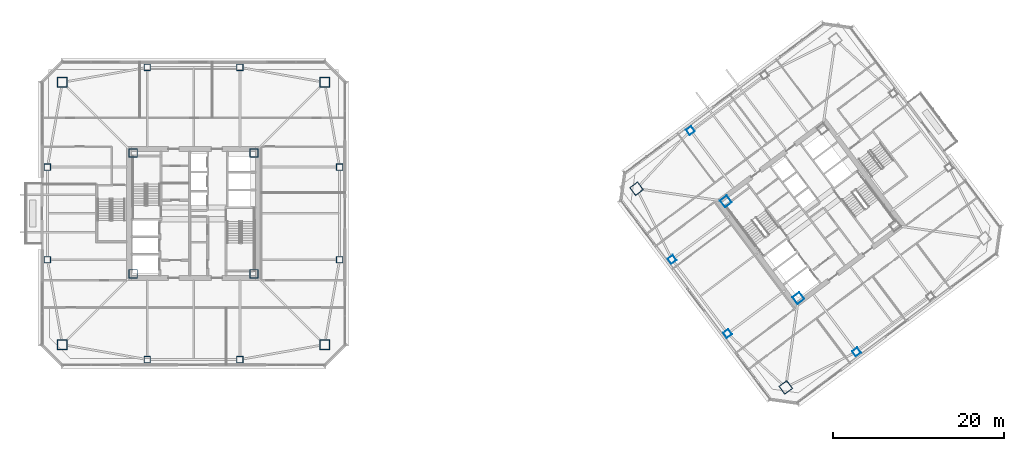
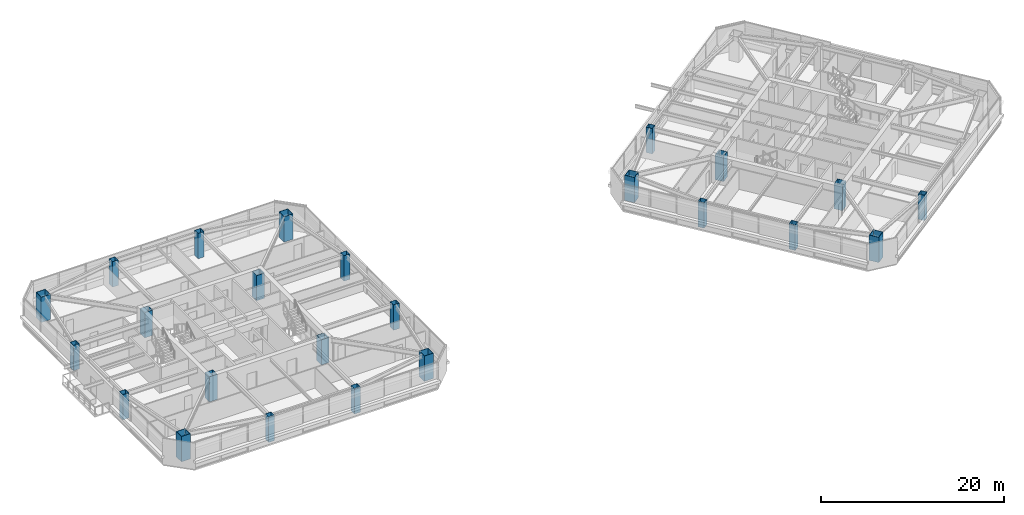
# One storey, part 1 of 43: 24 columns.
"""IFC4 building model written with IfcOpenShell, lengths in metres."""

from ifc_helpers import new_model, si_unit, direction, frame, origin, origin_2d, place, context, subcontext, project, spatial, hollow_rectangle, extrude, material, material_profile, profile_set, type_object, element, save


model = new_model("IFC4")

# Units and contexts
model_context = context("Model", 3, precision=1e-05, world=origin(), true_north=direction((0.0, 1.0)))
body_context = subcontext(model_context, "Body", "Model", "MODEL_VIEW")
ifc_project = project(units=[si_unit("LENGTHUNIT", "METRE"), si_unit("AREAUNIT", "SQUARE_METRE"), si_unit("VOLUMEUNIT", "CUBIC_METRE"), si_unit("PLANEANGLEUNIT", "RADIAN"), si_unit("MASSUNIT", "GRAM", prefix="KILO")], contexts=[model_context])

# Site, building, storey
site_placement = place(None, origin())
site = spatial("IfcSite", under=ifc_project, at=site_placement, CompositionType="ELEMENT")
building_placement = place(site_placement, origin())
building = spatial("IfcBuilding", under=site, at=building_placement, Name="Tashvorn Skyway Center", CompositionType="ELEMENT")
storey_placement = place(building_placement, frame((0.0, 0.0, 185.39990234375)))
storey = spatial("IfcBuildingStorey", under=building, at=storey_placement, Name="L50", CompositionType="ELEMENT", Elevation=185.39990234375)

# Columns
ifc_material = material(Name="Steel ASTM A572 Grade 50", Category="steel")
ifc_material_profile_1 = material_profile(ifc_material, hollow_rectangle(XDim=1.0, YDim=1.0, WallThickness=0.0400390625, at=origin_2d()), Name="BOX1000x1000x40")
ifc_profile_set_1 = profile_set([ifc_material_profile_1], Name="Steel ASTM A572 Grade 50")
column_type_1 = type_object("IfcColumnType", Name="COL-BOX1000x1000x40", PredefinedType="COLUMN", material=ifc_profile_set_1)
for number, where, z_axis, x_axis, name in (
    (1, (34.949951171875, 24.949951171875, 0.0), (0.0, 0.0, 1.0), (1.0, 0.0, 0.0), "Tower 1 L50 Core Corner Column CC-SW"),
    (2, (49.050048828125, 24.949951171875, 0.0), (0.0, 0.0, 1.0), (1.0, 0.0, 0.0), "Tower 1 L50 Core Corner Column CC-SE"),
    (3, (49.050048828125, 39.050048828125, 0.0), (0.0, 0.0, 1.0), (1.0, 0.0, 0.0), "Tower 1 L50 Core Corner Column CC-NE"),
    (4, (34.949951171875, 39.050048828125, 0.0), (0.0, 0.0, 1.0), (1.0, 0.0, 0.0), "Tower 1 L50 Core Corner Column CC-NW"),
    (5, (112.590087890625, 22.1298828125, 0.0), (0.0, 0.0, 1.0), (0.799999996291, 0.600000004945, 0.0), "Tower 2 L50 Core Corner Column CC-SW"),
    (6, (104.1298828125, 33.409912109375, 0.0), (0.0, 0.0, 1.0), (0.799999996291, 0.600000004945, 0.0), "Tower 2 L50 Core Corner Column CC-NW"),
):
    element("IfcColumn", number, at=place(storey_placement, frame(where, z_axis=z_axis, x_axis=x_axis)), inside=storey, type_object=column_type_1, Name=name, PredefinedType="COLUMN", context=body_context, shape_type="SweptSolid", body=[
        extrude(hollow_rectangle(XDim=1.0, YDim=1.0, WallThickness=0.0400390625, at=origin_2d()), origin(), (0.0, 0.0, 1.0), 3.3701171875),
    ])
ifc_material_profile_2 = material_profile(ifc_material, hollow_rectangle(XDim=1.14990234375, YDim=1.14990234375, WallThickness=0.044921875, at=origin_2d()), Name="BOX1150x1150x45")
ifc_profile_set_2 = profile_set([ifc_material_profile_2], Name="Steel ASTM A572 Grade 50")
column_type_2 = type_object("IfcColumnType", Name="COL-BOX1150x1150x45", PredefinedType="COLUMN", material=ifc_profile_set_2)
for number, where, z_axis, x_axis, name in (
    (7, (26.699951171875, 16.699951171875, 0.0), (0.0, 0.0, 1.0), (1.0, 0.0, 0.0), "Tower 1 L50 Mega-Column MC-SW"),
    (8, (57.300048828125, 16.699951171875, 0.0), (0.0, 0.0, 1.0), (1.0, 0.0, 0.0), "Tower 1 L50 Mega-Column MC-SE"),
    (9, (57.300048828125, 47.300048828125, 0.0), (0.0, 0.0, 1.0), (1.0, 0.0, 0.0), "Tower 1 L50 Mega-Column MC-NE"),
    (10, (26.699951171875, 47.300048828125, 0.0), (0.0, 0.0, 1.0), (1.0, 0.0, 0.0), "Tower 1 L50 Mega-Column MC-NW"),
    (11, (111.10009765625, 11.699951171875, 0.0), (0.0, 0.0, 1.0), (0.799999996291, 0.600000004945, 0.0), "Tower 2 L50 Mega-Column MC-SW"),
    (12, (93.699951171875, 34.89990234375, 0.0), (0.0, 0.0, 1.0), (0.799999996291, 0.600000004945, 0.0), "Tower 2 L50 Mega-Column MC-NW"),
):
    element("IfcColumn", number, at=place(storey_placement, frame(where, z_axis=z_axis, x_axis=x_axis)), inside=storey, type_object=column_type_2, Name=name, PredefinedType="COLUMN", context=body_context, shape_type="SweptSolid", body=[
        extrude(hollow_rectangle(XDim=1.14990234375, YDim=1.14990234375, WallThickness=0.044921875, at=origin_2d()), origin(), (0.0, 0.0, 1.0), 3.3701171875),
    ])
ifc_material_profile_3 = material_profile(ifc_material, hollow_rectangle(XDim=0.75, YDim=0.75, WallThickness=0.031982421875, at=origin_2d()), Name="BOX750x750x32")
ifc_profile_set_3 = profile_set([ifc_material_profile_3], Name="Steel ASTM A572 Grade 50")
column_type_3 = type_object("IfcColumnType", Name="COL-BOX750x750x32", PredefinedType="COLUMN", material=ifc_profile_set_3)
for number, where, z_axis, x_axis, name in (
    (13, (36.60009765625, 14.949951171875, 0.0), (0.0, 0.0, 1.0), (1.0, 0.0, 0.0), "Tower 1 L50 Perimeter Column FC-S1"),
    (14, (47.39990234375, 14.949951171875, 0.0), (0.0, 0.0, 1.0), (1.0, 0.0, 0.0), "Tower 1 L50 Perimeter Column FC-S2"),
    (15, (59.050048828125, 26.60009765625, 0.0), (0.0, 0.0, 1.0), (1.0, 0.0, 0.0), "Tower 1 L50 Perimeter Column FC-E1"),
    (16, (59.050048828125, 37.39990234375, 0.0), (0.0, 0.0, 1.0), (1.0, 0.0, 0.0), "Tower 1 L50 Perimeter Column FC-E2"),
    (17, (47.39990234375, 49.050048828125, 0.0), (0.0, 0.0, 1.0), (1.0, 0.0, 0.0), "Tower 1 L50 Perimeter Column FC-N1"),
    (18, (36.60009765625, 49.050048828125, 0.0), (0.0, 0.0, 1.0), (1.0, 0.0, 0.0), "Tower 1 L50 Perimeter Column FC-N2"),
    (19, (24.949951171875, 37.39990234375, 0.0), (0.0, 0.0, 1.0), (1.0, 0.0, 0.0), "Tower 1 L50 Perimeter Column FC-W1"),
    (20, (24.949951171875, 26.60009765625, 0.0), (0.0, 0.0, 1.0), (1.0, 0.0, 0.0), "Tower 1 L50 Perimeter Column FC-W2"),
    (21, (119.3701171875, 15.840087890625, 0.0), (0.0, 0.0, 1.0), (0.799999996291, 0.600000004945, 0.0), "Tower 2 L50 Perimeter Column FC-S1"),
    (22, (99.989990234375, 41.679931640625, 0.0), (0.0, 0.0, 1.0), (0.799999996291, 0.600000004945, 0.0), "Tower 2 L50 Perimeter Column FC-N2"),
    (23, (97.840087890625, 26.6298828125, 0.0), (0.0, 0.0, 1.0), (0.799999996291, 0.600000004945, 0.0), "Tower 2 L50 Perimeter Column FC-W1"),
    (24, (104.320068359375, 17.989990234375, 0.0), (0.0, 0.0, 1.0), (0.799999996291, 0.600000004945, 0.0), "Tower 2 L50 Perimeter Column FC-W2"),
):
    element("IfcColumn", number, at=place(storey_placement, frame(where, z_axis=z_axis, x_axis=x_axis)), inside=storey, type_object=column_type_3, Name=name, PredefinedType="COLUMN", context=body_context, shape_type="SweptSolid", body=[
        extrude(hollow_rectangle(XDim=0.75, YDim=0.75, WallThickness=0.031982421875, at=origin_2d()), origin(), (0.0, 0.0, 1.0), 3.3701171875),
    ])

save(model, "model.ifc")
